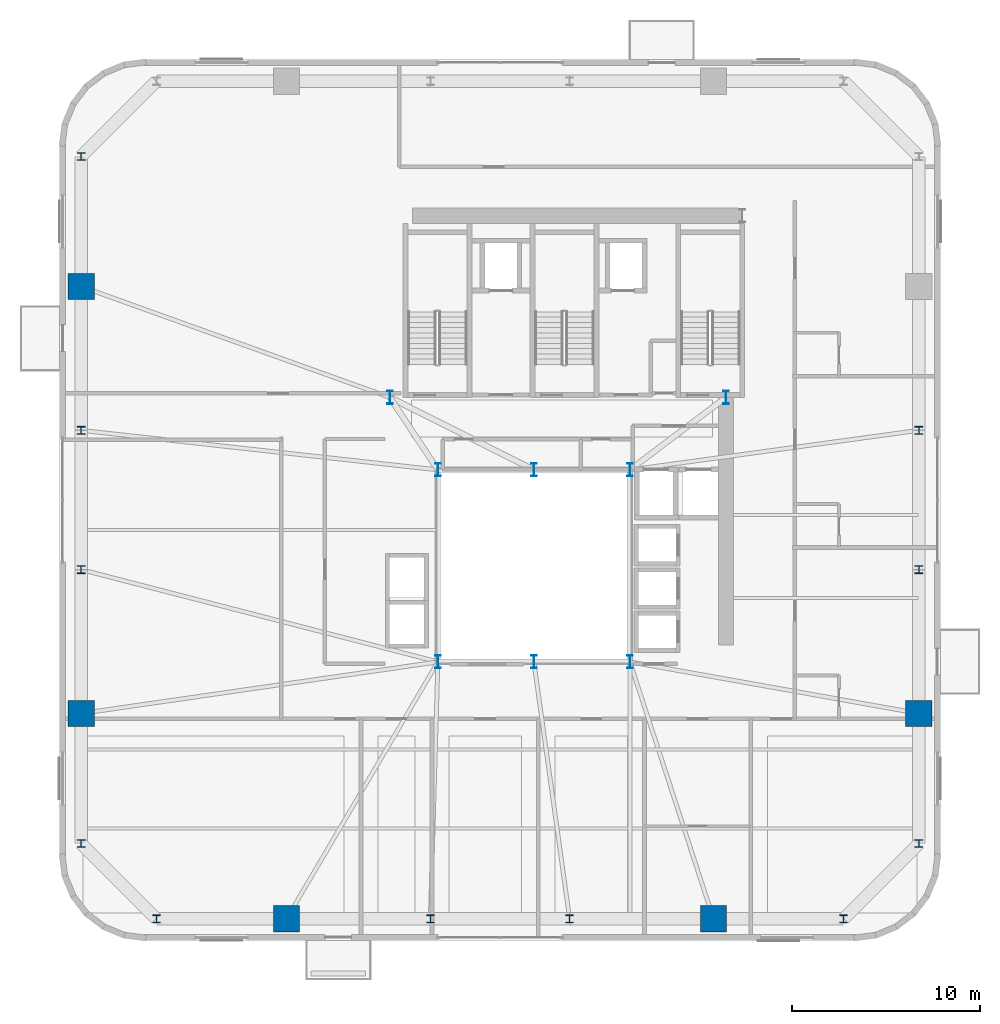
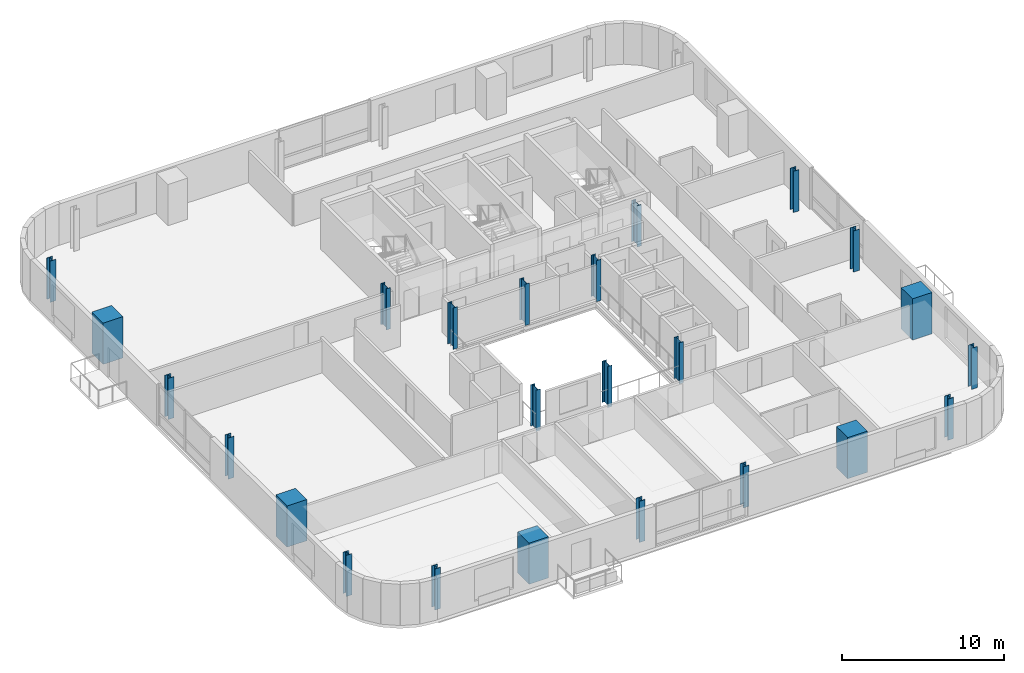
# One storey, part 1 of 13: 24 columns.
"""IFC4 building model written with IfcOpenShell, lengths in metres."""

from ifc_helpers import new_model, si_unit, direction, frame, origin, origin_2d, place, context, subcontext, project, spatial, rectangle, i_section, extrude, source, transform, mapped, material, material_profile, profile_set, type_object, element, save


model = new_model("IFC4")

# Units and contexts
model_context = context("Model", 3, precision=1e-05, world=origin(), true_north=direction((0.0, 1.0)))
body_context = subcontext(model_context, "Body", "Model", "MODEL_VIEW")
ifc_project = project(units=[si_unit("LENGTHUNIT", "METRE"), si_unit("AREAUNIT", "SQUARE_METRE"), si_unit("VOLUMEUNIT", "CUBIC_METRE"), si_unit("PLANEANGLEUNIT", "RADIAN"), si_unit("MASSUNIT", "GRAM", prefix="KILO")], contexts=[model_context])

# Site, building, storey
site_placement = place(None, origin())
site = spatial("IfcSite", under=ifc_project, at=site_placement, CompositionType="ELEMENT")
building_placement = place(site_placement, origin())
building = spatial("IfcBuilding", under=site, at=building_placement, Name="Vardaveli Station Tower", CompositionType="ELEMENT")
storey_placement = place(building_placement, frame((0.0, 0.0, 233.550048828125)))
storey = spatial("IfcBuildingStorey", under=building, at=storey_placement, Name="L60", CompositionType="ELEMENT", Elevation=233.550048828125)

# Columns
ifc_material_1 = material(Name="Structural steel S460M", Category="steel")
ifc_material_profile_1 = material_profile(ifc_material_1, i_section(OverallWidth=0.300048828125, OverallDepth=0.699951171875, WebThickness=0.01708984375, FlangeThickness=0.031982421875, FilletRadius=0.027099609375, at=origin_2d()), Name="HEB 700")
ifc_profile_set_1 = profile_set([ifc_material_profile_1], Name="Structural steel S460M")
column_type_1 = type_object("IfcColumnType", Name="COL-HEB700", PredefinedType="COLUMN", material=ifc_profile_set_1)
shared_shape_1 = source(origin(), body_context, "Body", "SweptSolid", [
    extrude(i_section(OverallWidth=0.300048828125, OverallDepth=0.699951171875, WebThickness=0.01708984375, FlangeThickness=0.031982421875, FilletRadius=0.027099609375, at=origin_2d()), origin(), (0.0, 0.0, 1.0), 3.099853515625),
])
for number, where, z_axis, x_axis, name in (
    (1, (31.199951171875, 16.60009765625, 0.0), (0.0, 0.0, 1.0), (1.0, 0.0, 0.0), "COL-L60-AC1"),
    (2, (36.300048828125, 16.60009765625, 0.0), (0.0, 0.0, 1.0), (1.0, 0.0, 0.0), "COL-L60-AC2"),
    (3, (41.39990234375, 16.60009765625, 0.0), (0.0, 0.0, 1.0), (1.0, 0.0, 0.0), "COL-L60-AC3"),
    (4, (41.39990234375, 26.800048828125, 0.0), (0.0, 0.0, 1.0), (1.0, 0.0, 0.0), "COL-L60-AC4"),
    (5, (36.300048828125, 26.800048828125, 0.0), (0.0, 0.0, 1.0), (1.0, 0.0, 0.0), "COL-L60-AC5"),
    (6, (31.199951171875, 26.800048828125, 0.0), (0.0, 0.0, 1.0), (1.0, 0.0, 0.0), "COL-L60-AC6"),
    (7, (28.64990234375, 30.64990234375, 0.0), (0.0, 0.0, 1.0), (1.0, 0.0, 0.0), "COL-L60-CC1"),
    (8, (46.5, 30.64990234375, 0.0), (0.0, 0.0, 1.0), (1.0, 0.0, 0.0), "COL-L60-CC2"),
):
    element("IfcColumn", number, at=place(storey_placement, frame(where, z_axis=z_axis, x_axis=x_axis)), inside=storey, type_object=column_type_1, Name=name, PredefinedType="COLUMN", context=body_context, shape_type="MappedRepresentation", body=[
        mapped(shared_shape_1, transform((0.0, 0.0, 0.0), scale=1.0)),
    ])
ifc_material_2 = material(Name="Concrete C50/60", Category="concrete")
ifc_material_profile_2 = material_profile(ifc_material_2, rectangle(XDim=1.39990234375, YDim=1.39990234375, at=origin_2d()), Name="MC 1400x1400")
ifc_profile_set_2 = profile_set([ifc_material_profile_2], Name="Concrete C50/60")
column_type_2 = type_object("IfcColumnType", Name="COL-MC-1400", PredefinedType="COLUMN", material=ifc_profile_set_2)
shared_shape_2 = source(origin(), body_context, "Body", "SweptSolid", [
    extrude(rectangle(XDim=1.39990234375, YDim=1.39990234375, at=origin_2d()), origin(), (0.0, 0.0, 1.0), 3.099853515625),
])
for number, where, z_axis, x_axis, name in (
    (9, (23.159912109375, 2.949951171875, 0.0), (0.0, 0.0, 1.0), (1.0, 0.0, 0.0), "COL-L60-MC1"),
    (10, (45.840087890625, 2.949951171875, 0.0), (0.0, 0.0, 1.0), (1.0, 0.0, 0.0), "COL-L60-MC2"),
    (11, (56.75, 13.860107421875, 0.0), (0.0, 0.0, 1.0), (1.0, 0.0, 0.0), "COL-L60-MC3"),
    (12, (12.25, 36.5400390625, 0.0), (0.0, 0.0, 1.0), (1.0, 0.0, 0.0), "COL-L60-MC7"),
    (13, (12.25, 13.860107421875, 0.0), (0.0, 0.0, 1.0), (1.0, 0.0, 0.0), "COL-L60-MC8"),
):
    element("IfcColumn", number, at=place(storey_placement, frame(where, z_axis=z_axis, x_axis=x_axis)), inside=storey, type_object=column_type_2, Name=name, PredefinedType="COLUMN", context=body_context, shape_type="MappedRepresentation", body=[
        mapped(shared_shape_2, transform((0.0, 0.0, 0.0), scale=1.0)),
    ])
ifc_material_profile_3 = material_profile(ifc_material_1, i_section(OverallWidth=0.408935546875, OverallDepth=0.4169921875, WebThickness=0.021240234375, FlangeThickness=0.033203125, FilletRadius=0.014892578125, at=origin_2d()), Name="HD 400x347")
ifc_profile_set_3 = profile_set([ifc_material_profile_3], Name="Structural steel S460M")
column_type_3 = type_object("IfcColumnType", Name="COL-HD347", PredefinedType="COLUMN", material=ifc_profile_set_3)
shared_shape_3 = source(origin(), body_context, "Body", "SweptSolid", [
    extrude(i_section(OverallWidth=0.408935546875, OverallDepth=0.4169921875, WebThickness=0.021240234375, FlangeThickness=0.033203125, FilletRadius=0.014892578125, at=origin_2d()), origin(), (0.0, 0.0, 1.0), 3.099853515625),
])
for number, where, z_axis, x_axis, name in (
    (14, (16.25, 2.949951171875, 0.0), (0.0, 0.0, 1.0), (1.0, 0.0, 0.0), "COL-L60-PC01"),
    (15, (30.800048828125, 2.949951171875, 0.0), (0.0, 0.0, 1.0), (1.0, 0.0, 0.0), "COL-L60-PC02"),
    (16, (38.199951171875, 2.949951171875, 0.0), (0.0, 0.0, 1.0), (1.0, 0.0, 0.0), "COL-L60-PC03"),
    (17, (52.75, 2.949951171875, 0.0), (0.0, 0.0, 1.0), (1.0, 0.0, 0.0), "COL-L60-PC04"),
    (18, (56.75, 6.949951171875, 0.0), (0.0, 0.0, 1.0), (1.0, 0.0, 0.0), "COL-L60-PC05"),
    (19, (56.75, 21.5, 0.0), (0.0, 0.0, 1.0), (1.0, 0.0, 0.0), "COL-L60-PC06"),
    (20, (56.75, 28.89990234375, 0.0), (0.0, 0.0, 1.0), (1.0, 0.0, 0.0), "COL-L60-PC07"),
    (21, (12.25, 43.449951171875, 0.0), (0.0, 0.0, 1.0), (1.0, 0.0, 0.0), "COL-L60-PC13"),
    (22, (12.25, 28.89990234375, 0.0), (0.0, 0.0, 1.0), (1.0, 0.0, 0.0), "COL-L60-PC14"),
    (23, (12.25, 21.5, 0.0), (0.0, 0.0, 1.0), (1.0, 0.0, 0.0), "COL-L60-PC15"),
    (24, (12.25, 6.949951171875, 0.0), (0.0, 0.0, 1.0), (1.0, 0.0, 0.0), "COL-L60-PC16"),
):
    element("IfcColumn", number, at=place(storey_placement, frame(where, z_axis=z_axis, x_axis=x_axis)), inside=storey, type_object=column_type_3, Name=name, PredefinedType="COLUMN", context=body_context, shape_type="MappedRepresentation", body=[
        mapped(shared_shape_3, transform((0.0, 0.0, 0.0), scale=1.0)),
    ])

save(model, "model.ifc")
